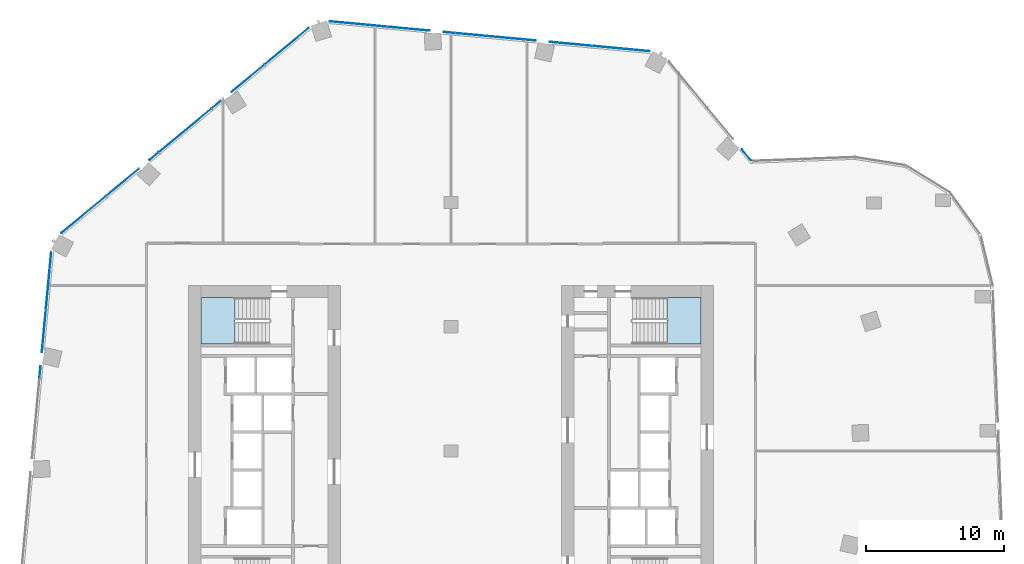
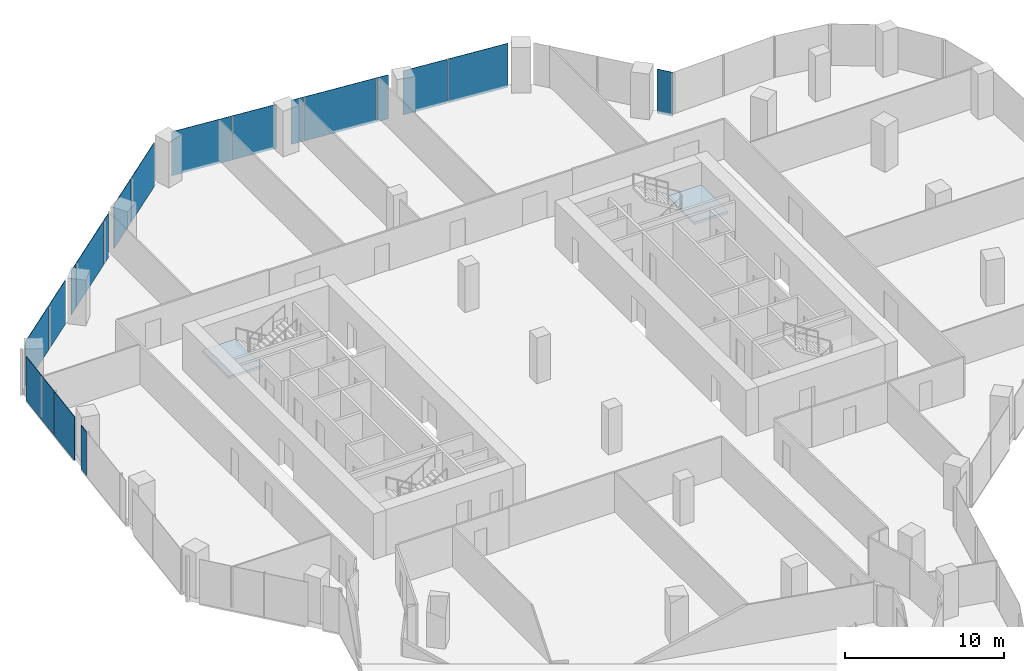
# One storey, part 16 of 24: 18 plates, 2 slabs, 6 elements without a shape of their own.
"""IFC4 building model written with IfcOpenShell, lengths in metres."""

from ifc_helpers import new_model, si_unit, direction, frame, origin, origin_2d, place, context, subcontext, project, spatial, polyline, rectangle, outline, extrude, material, layer, layer_set, type_object, element, aggregate, save


model = new_model("IFC4")

# Units and contexts
model_context = context("Model", 3, precision=1e-05, world=origin(), true_north=direction((0.0, 1.0)))
body_context = subcontext(model_context, "Body", "Model", "MODEL_VIEW")
ifc_project = project(units=[si_unit("LENGTHUNIT", "METRE"), si_unit("AREAUNIT", "SQUARE_METRE"), si_unit("VOLUMEUNIT", "CUBIC_METRE"), si_unit("PLANEANGLEUNIT", "RADIAN"), si_unit("MASSUNIT", "GRAM", prefix="KILO")], contexts=[model_context])

# Site, building, storey
site_placement = place(None, origin())
site = spatial("IfcSite", under=ifc_project, at=site_placement, CompositionType="ELEMENT")
building_placement = place(site_placement, origin())
building = spatial("IfcBuilding", under=site, at=building_placement, Name="Orlundy Tower", CompositionType="ELEMENT")
storey_placement = place(building_placement, frame((0.0, 0.0, 177.60009765625)))
storey = spatial("IfcBuildingStorey", under=building, at=storey_placement, Name="L46", CompositionType="ELEMENT", Elevation=177.60009765625)

# Curtain wall, plates
ifc_material_1 = material(Name="Aluminium bronze anodised", Category="aluminium")
curtain_wall_type = type_object("IfcCurtainWallType", Name="CW1 wall", PredefinedType="NOTDEFINED", material=ifc_material_1)
curtain_wall_1_placement = place(storey_placement, origin())
curtain_wall_1 = element("IfcCurtainWall", 1, at=curtain_wall_1_placement, inside=storey, type_object=curtain_wall_type, Name="CW1 run 02", PredefinedType="NOTDEFINED")
ifc_material_2 = material(Name="Tinted glass", Category="glass")
ifc_layer_1 = layer(ifc_material_2, 0.031982421875)
ifc_layer_set_1 = layer_set([ifc_layer_1], Name="CW1 glass panel 32")
plate_type = type_object("IfcPlateType", Name="CW1 glass panel 32", PredefinedType="CURTAIN_PANEL", material=ifc_layer_set_1)
plate_1_placement = place(storey_placement, frame((-29.7607421875, 5.724609375, -0.300048828125), z_axis=(0.0, 0.0, 1.0), x_axis=(0.092948066811, 0.995670958136, 0.0)))
plate_1 = element("IfcPlate", 2, at=plate_1_placement, type_object=plate_type, Name="CW1 panel", PredefinedType="CURTAIN_PANEL", context=body_context, shape_type="SweptSolid", body=[
    extrude(rectangle(XDim=0.846435546875, YDim=0.031982421875, at=origin_2d()), origin(), (0.0, 0.0, 1.0), 3.3798828125),
])
plate_2_placement = place(storey_placement, frame((-29.48486328125, 8.6796875, -0.300048828125), z_axis=(0.0, 0.0, 1.0), x_axis=(0.092948066811, 0.995670958136, 0.0)))
plate_2 = element("IfcPlate", 3, at=plate_2_placement, type_object=plate_type, Name="CW1 panel", PredefinedType="CURTAIN_PANEL", context=body_context, shape_type="SweptSolid", body=[
    extrude(rectangle(XDim=3.05859375, YDim=0.031982421875, at=origin_2d()), origin(), (0.0, 0.0, 1.0), 3.3798828125),
])
plate_3_placement = place(storey_placement, frame((-29.145263671875, 12.31689453125, -0.300048828125), z_axis=(0.0, 0.0, 1.0), x_axis=(0.092948066811, 0.995670958136, 0.0)))
plate_3 = element("IfcPlate", 4, at=plate_3_placement, type_object=plate_type, Name="CW1 panel", PredefinedType="CURTAIN_PANEL", context=body_context, shape_type="SweptSolid", body=[
    extrude(rectangle(XDim=4.147705078125, YDim=0.031982421875, at=origin_2d()), origin(), (0.0, 0.0, 1.0), 3.3798828125),
])
aggregate(curtain_wall_1, [plate_1, plate_2, plate_3])

curtain_wall_2_placement = place(storey_placement, origin())
curtain_wall_2 = element("IfcCurtainWall", 5, at=curtain_wall_2_placement, inside=storey, type_object=curtain_wall_type, Name="CW1 run 03", PredefinedType="NOTDEFINED")
plate_4_placement = place(storey_placement, frame((-26.609130859375, 17.120361328125, -0.300048828125), z_axis=(0.0, 0.0, 1.0), x_axis=(0.769772426769, 0.638318424445, 0.0)))
plate_4 = element("IfcPlate", 6, at=plate_4_placement, type_object=plate_type, Name="CW1 panel", PredefinedType="CURTAIN_PANEL", context=body_context, shape_type="SweptSolid", body=[
    extrude(rectangle(XDim=4.1474609375, YDim=0.031982421875, at=origin_2d()), origin(), (0.0, 0.0, 1.0), 3.3798828125),
])
plate_5_placement = place(storey_placement, frame((-23.797607421875, 19.45166015625, -0.300048828125), z_axis=(0.0, 0.0, 1.0), x_axis=(0.769772426769, 0.638318424445, 0.0)))
plate_5 = element("IfcPlate", 7, at=plate_5_placement, type_object=plate_type, Name="CW1 panel", PredefinedType="CURTAIN_PANEL", context=body_context, shape_type="SweptSolid", body=[
    extrude(rectangle(XDim=3.05712890625, YDim=0.031982421875, at=origin_2d()), origin(), (0.0, 0.0, 1.0), 3.3798828125),
])
plate_6_placement = place(storey_placement, frame((-21.512451171875, 21.3466796875, -0.300048828125), z_axis=(0.0, 0.0, 1.0), x_axis=(0.769772426769, 0.638318424445, 0.0)))
plate_6 = element("IfcPlate", 8, at=plate_6_placement, type_object=plate_type, Name="CW1 panel", PredefinedType="CURTAIN_PANEL", context=body_context, shape_type="SweptSolid", body=[
    extrude(rectangle(XDim=0.8466796875, YDim=0.031982421875, at=origin_2d()), origin(), (0.0, 0.0, 1.0), 3.3798828125),
])
plate_7_placement = place(storey_placement, frame((-19.254150390625, 23.21923828125, -0.300048828125), z_axis=(0.0, 0.0, 1.0), x_axis=(0.769772426769, 0.638318424445, 0.0)))
plate_7 = element("IfcPlate", 9, at=plate_7_placement, type_object=plate_type, Name="CW1 panel", PredefinedType="CURTAIN_PANEL", context=body_context, shape_type="SweptSolid", body=[
    extrude(rectangle(XDim=4.920654296875, YDim=0.031982421875, at=origin_2d()), origin(), (0.0, 0.0, 1.0), 3.3798828125),
])
plate_8_placement = place(storey_placement, frame((-16.99609375, 25.091796875, -0.300048828125), z_axis=(0.0, 0.0, 1.0), x_axis=(0.769772426769, 0.638318424445, 0.0)))
plate_8 = element("IfcPlate", 10, at=plate_8_placement, type_object=plate_type, Name="CW1 panel", PredefinedType="CURTAIN_PANEL", context=body_context, shape_type="SweptSolid", body=[
    extrude(rectangle(XDim=0.8466796875, YDim=0.031982421875, at=origin_2d()), origin(), (0.0, 0.0, 1.0), 3.3798828125),
])
plate_9_placement = place(storey_placement, frame((-14.71044921875, 26.987060546875, -0.300048828125), z_axis=(0.0, 0.0, 1.0), x_axis=(0.769772426769, 0.638318424445, 0.0)))
plate_9 = element("IfcPlate", 11, at=plate_9_placement, type_object=plate_type, Name="CW1 panel", PredefinedType="CURTAIN_PANEL", context=body_context, shape_type="SweptSolid", body=[
    extrude(rectangle(XDim=3.056640625, YDim=0.031982421875, at=origin_2d()), origin(), (0.0, 0.0, 1.0), 3.3798828125),
])
plate_10_placement = place(storey_placement, frame((-11.899169921875, 29.318359375, -0.300048828125), z_axis=(0.0, 0.0, 1.0), x_axis=(0.769772426769, 0.638318424445, 0.0)))
plate_10 = element("IfcPlate", 12, at=plate_10_placement, type_object=plate_type, Name="CW1 panel", PredefinedType="CURTAIN_PANEL", context=body_context, shape_type="SweptSolid", body=[
    extrude(rectangle(XDim=4.148193359375, YDim=0.031982421875, at=origin_2d()), origin(), (0.0, 0.0, 1.0), 3.3798828125),
])
aggregate(curtain_wall_2, [plate_4, plate_5, plate_6, plate_7, plate_8, plate_9, plate_10])

curtain_wall_3_placement = place(storey_placement, origin())
curtain_wall_3 = element("IfcCurtainWall", 13, at=curtain_wall_3_placement, inside=storey, type_object=curtain_wall_type, Name="CW1 run 04", PredefinedType="NOTDEFINED")
plate_11_placement = place(storey_placement, frame((-6.709228515625, 30.92138671875, -0.300048828125), z_axis=(0.0, 0.0, 1.0), x_axis=(0.995670958136, -0.092948066811, 0.0)))
plate_11 = element("IfcPlate", 14, at=plate_11_placement, type_object=plate_type, Name="CW1 panel", PredefinedType="CURTAIN_PANEL", context=body_context, shape_type="SweptSolid", body=[
    extrude(rectangle(XDim=4.14697265625, YDim=0.031982421875, at=origin_2d()), origin(), (0.0, 0.0, 1.0), 3.3798828125),
])
plate_12_placement = place(storey_placement, frame((-3.073974609375, 30.58203125, -0.300048828125), z_axis=(0.0, 0.0, 1.0), x_axis=(0.995670958136, -0.092948066811, 0.0)))
plate_12 = element("IfcPlate", 15, at=plate_12_placement, type_object=plate_type, Name="CW1 panel", PredefinedType="CURTAIN_PANEL", context=body_context, shape_type="SweptSolid", body=[
    extrude(rectangle(XDim=3.05517578125, YDim=0.031982421875, at=origin_2d()), origin(), (0.0, 0.0, 1.0), 3.3798828125),
])
plate_13_placement = place(storey_placement, frame((-0.1171875, 30.305908203125, -0.300048828125), z_axis=(0.0, 0.0, 1.0), x_axis=(0.995670958136, -0.092948066811, 0.0)))
plate_13 = element("IfcPlate", 16, at=plate_13_placement, type_object=plate_type, Name="CW1 panel", PredefinedType="CURTAIN_PANEL", context=body_context, shape_type="SweptSolid", body=[
    extrude(rectangle(XDim=0.846923828125, YDim=0.031982421875, at=origin_2d()), origin(), (0.0, 0.0, 1.0), 3.3798828125),
])
plate_14_placement = place(storey_placement, frame((2.8037109375, 30.033203125, -0.300048828125), z_axis=(0.0, 0.0, 1.0), x_axis=(0.995670958136, -0.092948066811, 0.0)))
plate_14 = element("IfcPlate", 17, at=plate_14_placement, type_object=plate_type, Name="CW1 panel", PredefinedType="CURTAIN_PANEL", context=body_context, shape_type="SweptSolid", body=[
    extrude(rectangle(XDim=4.92041015625, YDim=0.031982421875, at=origin_2d()), origin(), (0.0, 0.0, 1.0), 3.3798828125),
])
plate_15_placement = place(storey_placement, frame((5.724609375, 29.7607421875, -0.300048828125), z_axis=(0.0, 0.0, 1.0), x_axis=(0.995670958136, -0.092948066811, 0.0)))
plate_15 = element("IfcPlate", 18, at=plate_15_placement, type_object=plate_type, Name="CW1 panel", PredefinedType="CURTAIN_PANEL", context=body_context, shape_type="SweptSolid", body=[
    extrude(rectangle(XDim=0.846435546875, YDim=0.031982421875, at=origin_2d()), origin(), (0.0, 0.0, 1.0), 3.3798828125),
])
plate_16_placement = place(storey_placement, frame((8.6796875, 29.48486328125, -0.300048828125), z_axis=(0.0, 0.0, 1.0), x_axis=(0.995670958136, -0.092948066811, 0.0)))
plate_16 = element("IfcPlate", 19, at=plate_16_placement, type_object=plate_type, Name="CW1 panel", PredefinedType="CURTAIN_PANEL", context=body_context, shape_type="SweptSolid", body=[
    extrude(rectangle(XDim=3.05859375, YDim=0.031982421875, at=origin_2d()), origin(), (0.0, 0.0, 1.0), 3.3798828125),
])
plate_17_placement = place(storey_placement, frame((12.31689453125, 29.145263671875, -0.300048828125), z_axis=(0.0, 0.0, 1.0), x_axis=(0.995670958136, -0.092948066811, 0.0)))
plate_17 = element("IfcPlate", 20, at=plate_17_placement, type_object=plate_type, Name="CW1 panel", PredefinedType="CURTAIN_PANEL", context=body_context, shape_type="SweptSolid", body=[
    extrude(rectangle(XDim=4.147705078125, YDim=0.031982421875, at=origin_2d()), origin(), (0.0, 0.0, 1.0), 3.3798828125),
])
aggregate(curtain_wall_3, [plate_11, plate_12, plate_13, plate_14, plate_15, plate_16, plate_17])

# Curtain wall, plate
curtain_wall_4_placement = place(storey_placement, origin())
curtain_wall_4 = element("IfcCurtainWall", 21, at=curtain_wall_4_placement, inside=storey, type_object=curtain_wall_type, Name="CW1 run 05", PredefinedType="NOTDEFINED")
plate_18_placement = place(storey_placement, frame((21.4228515625, 21.420166015625, -0.300048828125), z_axis=(0.0, 0.0, 1.0), x_axis=(0.638299162368, -0.769788399055, 0.0)))
plate_18 = element("IfcPlate", 22, at=plate_18_placement, type_object=plate_type, Name="CW1 panel", PredefinedType="CURTAIN_PANEL", context=body_context, shape_type="SweptSolid", body=[
    extrude(rectangle(XDim=1.08642578125, YDim=0.031982421875, at=origin_2d()), origin(), (0.0, 0.0, 1.0), 3.3798828125),
])
aggregate(curtain_wall_4, [plate_18])

# Stair, slab
ifc_material_3 = material(Name="Concrete C50/60", Category="concrete")
stair_type = type_object("IfcStairType", Name="Exit Stair 20 risers", PredefinedType="HALF_TURN_STAIR", material=ifc_material_3)
stair_1_placement = place(storey_placement, origin())
stair_1 = element("IfcStair", 23, at=stair_1_placement, inside=storey, type_object=stair_type, Name="L46 Exit Stair ST-W1", PredefinedType="HALF_TURN_STAIR")
ifc_material_4 = material(Name="Concrete C50/60", Category="concrete")
ifc_layer_2 = layer(ifc_material_4, 0.199951171875)
ifc_layer_set_2 = layer_set([ifc_layer_2], Name="Exit Stair Landing")
slab_type = type_object("IfcSlabType", Name="Exit Stair Landing", PredefinedType="LANDING", material=ifc_layer_set_2)
slab_1_placement = place(storey_placement, frame((0.0, 0.0, 1.5498046875)))
slab_1 = element("IfcSlab", 24, at=slab_1_placement, type_object=slab_type, Name="ST-W1 landing 1", PredefinedType="LANDING", context=body_context, shape_type="SweptSolid", body=[
    extrude(outline(polyline([(-15.659912109375, 11.10009765625), (-18.10009765625, 11.10009765625), (-18.10009765625, 7.75), (-15.659912109375, 7.75), (-15.659912109375, 11.10009765625)])), origin(), (0.0, 0.0, 1.0), 0.2001953125),
])
aggregate(stair_1, [slab_1])

stair_2_placement = place(storey_placement, origin())
stair_2 = element("IfcStair", 25, at=stair_2_placement, inside=storey, type_object=stair_type, Name="L46 Exit Stair ST-E2", PredefinedType="HALF_TURN_STAIR")
slab_2_placement = place(storey_placement, frame((0.0, 0.0, 1.5498046875)))
slab_2 = element("IfcSlab", 26, at=slab_2_placement, type_object=slab_type, Name="ST-E2 landing 1", PredefinedType="LANDING", context=body_context, shape_type="SweptSolid", body=[
    extrude(outline(polyline([(15.659912109375, 7.75), (18.10009765625, 7.75), (18.10009765625, 11.10009765625), (15.659912109375, 11.10009765625), (15.659912109375, 7.75)])), origin(), (0.0, 0.0, 1.0), 0.2001953125),
])
aggregate(stair_2, [slab_2])

save(model, "model.ifc")
